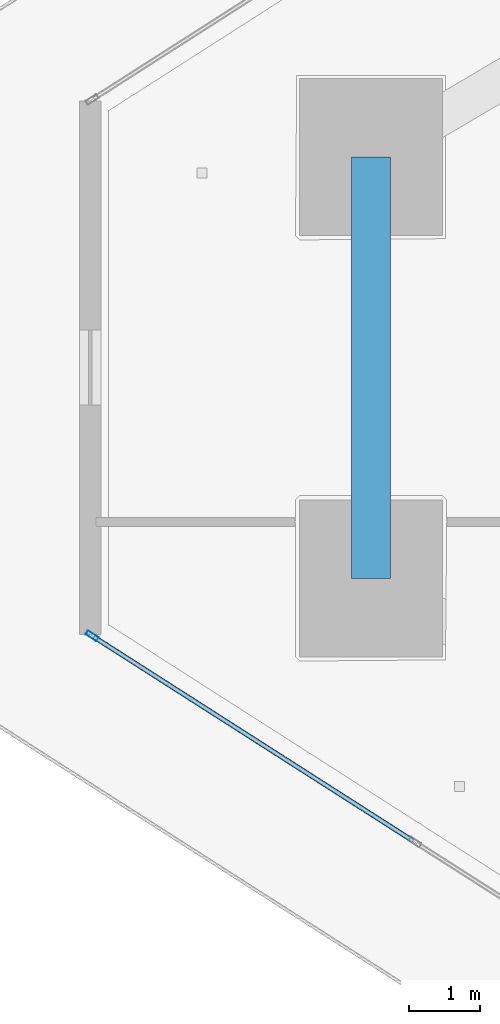
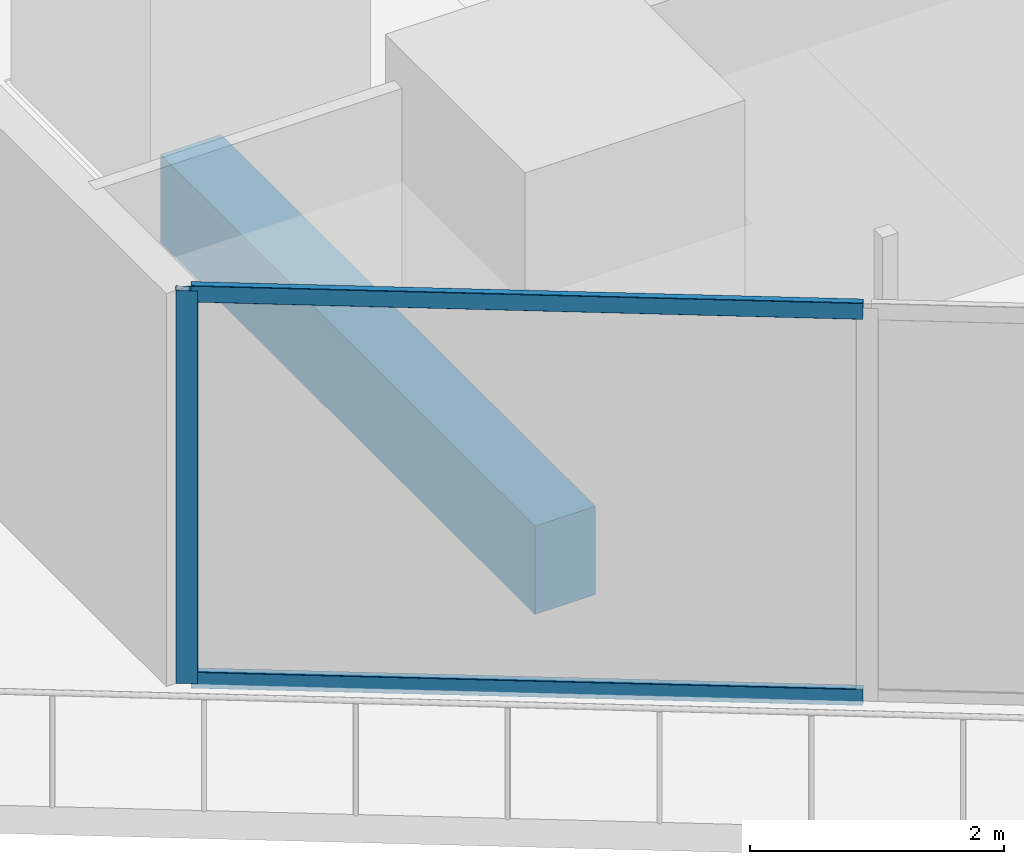
# One storey, part 5 of 39: 3 members, 1 beam, 1 element without a shape of its own.
"""IFC4 building model written with IfcOpenShell, lengths in metres."""

from ifc_helpers import new_model, si_unit, direction, frame, origin, origin_2d, place, context, subcontext, project, spatial, rectangle, hollow_rectangle, extrude, material, layer, layer_set, material_profile, profile_set, type_object, element, aggregate, save


model = new_model("IFC4")

# Units and contexts
model_context = context("Model", 3, precision=1e-05, world=origin(), true_north=direction((0.0, 1.0)))
body_context = subcontext(model_context, "Body", "Model", "MODEL_VIEW")
ifc_project = project(units=[si_unit("LENGTHUNIT", "METRE"), si_unit("AREAUNIT", "SQUARE_METRE"), si_unit("VOLUMEUNIT", "CUBIC_METRE"), si_unit("PLANEANGLEUNIT", "RADIAN"), si_unit("MASSUNIT", "GRAM", prefix="KILO")], contexts=[model_context])

# Site, building, storey
site_placement = place(None, origin())
site = spatial("IfcSite", under=ifc_project, at=site_placement, CompositionType="ELEMENT")
building_placement = place(site_placement, origin())
building = spatial("IfcBuilding", under=site, at=building_placement, Name="Qorvath Tower", CompositionType="ELEMENT")
storey_placement = place(building_placement, frame((0.0, 0.0, 142.199951171875)))
storey = spatial("IfcBuildingStorey", under=building, at=storey_placement, Name="L32", CompositionType="ELEMENT", Elevation=142.199951171875)

# Beam
ifc_material_1 = material(Name="Concrete C50/60", Category="concrete")
ifc_material_profile_1 = material_profile(ifc_material_1, rectangle(XDim=0.550048828125, YDim=0.85009765625, at=origin_2d()), Name="RCB 850x550")
ifc_profile_set_1 = profile_set([ifc_material_profile_1], Name="Concrete C50/60")
beam_type = type_object("IfcBeamType", Name="BM-RCB2", PredefinedType="SPANDREL", material=ifc_profile_set_1)
beam_placement = place(storey_placement, frame((-53.04931640625, 2.95068359375, -0.695068359375), z_axis=(0.0, -1.0, 0.0), x_axis=(1.0, 0.0, 0.0)))
element("IfcBeam", 1, at=beam_placement, inside=storey, type_object=beam_type, Name="Perimeter Loggia Frame Beam MC1-MC2 L32", PredefinedType="SPANDREL", context=body_context, shape_type="SweptSolid", body=[
    extrude(rectangle(XDim=0.550048828125, YDim=0.85009765625, at=origin_2d()), origin(), (0.0, 0.0, 1.0), 5.9013671875),
])

# Curtain wall, members
ifc_material_2 = material(Name="Anodised aluminium and triple low-E glass", Category="aluminium")
ifc_layer = layer(ifc_material_2, 0.179931640625)
ifc_layer_set = layer_set([ifc_layer], Name="CW-SYS-3")
curtain_wall_type = type_object("IfcCurtainWallType", Name="CW-SYS-3", PredefinedType="NOTDEFINED", material=ifc_layer_set)
curtain_wall_placement = place(storey_placement, origin())
curtain_wall = element("IfcCurtainWall", 2, at=curtain_wall_placement, inside=storey, type_object=curtain_wall_type, Name="Curtain Wall CW-3 CW-T-L32-2.1", PredefinedType="NOTDEFINED")
ifc_material_3 = material(Name="Anodised aluminium 6063-T6", Category="aluminium")
ifc_material_profile_2 = material_profile(ifc_material_3, hollow_rectangle(XDim=0.06494140625, YDim=0.179931640625, WallThickness=0.00341796875, InnerFilletRadius=0.00341796875, OuterFilletRadius=0.007080078125, at=origin_2d()), Name="CWM 180x65")
ifc_profile_set_2 = profile_set([ifc_material_profile_2], Name="Anodised aluminium 6063-T6")
member_type_1 = type_object("IfcMemberType", Name="CWM-180", PredefinedType="MULLION", material=ifc_profile_set_2)
member_1_placement = place(storey_placement, frame((-56.957763671875, -3.757080078125, 0.0), z_axis=(0.0, 0.0, 1.0), x_axis=(0.53853296968, 0.842604438967, 0.0)))
member_1 = element("IfcMember", 3, at=member_1_placement, type_object=member_type_1, Name="CW-3 mullion 1", PredefinedType="MULLION", context=body_context, shape_type="SweptSolid", body=[
    extrude(hollow_rectangle(XDim=0.06494140625, YDim=0.179931640625, WallThickness=0.00341796875, InnerFilletRadius=0.00341796875, OuterFilletRadius=0.007080078125, at=origin_2d()), origin(), (0.0, 0.0, 1.0), 3.780029296875),
])
ifc_material_4 = material(Name="Anodised aluminium 6063-T6", Category="aluminium")
ifc_material_profile_3 = material_profile(ifc_material_4, hollow_rectangle(XDim=0.06494140625, YDim=0.159912109375, WallThickness=0.00341796875, InnerFilletRadius=0.00341796875, OuterFilletRadius=0.007080078125, at=origin_2d()), Name="CWT 160x65")
ifc_profile_set_3 = profile_set([ifc_material_profile_3], Name="Anodised aluminium 6063-T6")
member_type_2 = type_object("IfcMemberType", Name="CWT-160", PredefinedType="USERDEFINED", material=ifc_profile_set_3)
member_2_placement = place(storey_placement, frame((-56.930419921875, -3.7744140625, 0.032470703125), z_axis=(0.84259645993, -0.538545453711, 0.0), x_axis=(0.538545453711, 0.84259645993, 0.0)))
member_2 = element("IfcMember", 4, at=member_2_placement, type_object=member_type_2, Name="CW-3 transom 1.1", ObjectType="TRANSOM", PredefinedType="USERDEFINED", context=body_context, shape_type="SweptSolid", body=[
    extrude(hollow_rectangle(XDim=0.06494140625, YDim=0.159912109375, WallThickness=0.00341796875, InnerFilletRadius=0.00341796875, OuterFilletRadius=0.007080078125, at=origin_2d()), origin(), (0.0, 0.0, 1.0), 5.303466796875),
])
member_3_placement = place(storey_placement, frame((-56.930419921875, -3.7744140625, 3.74755859375), z_axis=(0.84259645993, -0.538545453711, 0.0), x_axis=(0.538545453711, 0.84259645993, 0.0)))
member_3 = element("IfcMember", 5, at=member_3_placement, type_object=member_type_2, Name="CW-3 transom 1.2", ObjectType="TRANSOM", PredefinedType="USERDEFINED", context=body_context, shape_type="SweptSolid", body=[
    extrude(hollow_rectangle(XDim=0.06494140625, YDim=0.159912109375, WallThickness=0.00341796875, InnerFilletRadius=0.00341796875, OuterFilletRadius=0.007080078125, at=origin_2d()), origin(), (0.0, 0.0, 1.0), 5.303466796875),
])
aggregate(curtain_wall, [member_1, member_2, member_3])

save(model, "model.ifc")
